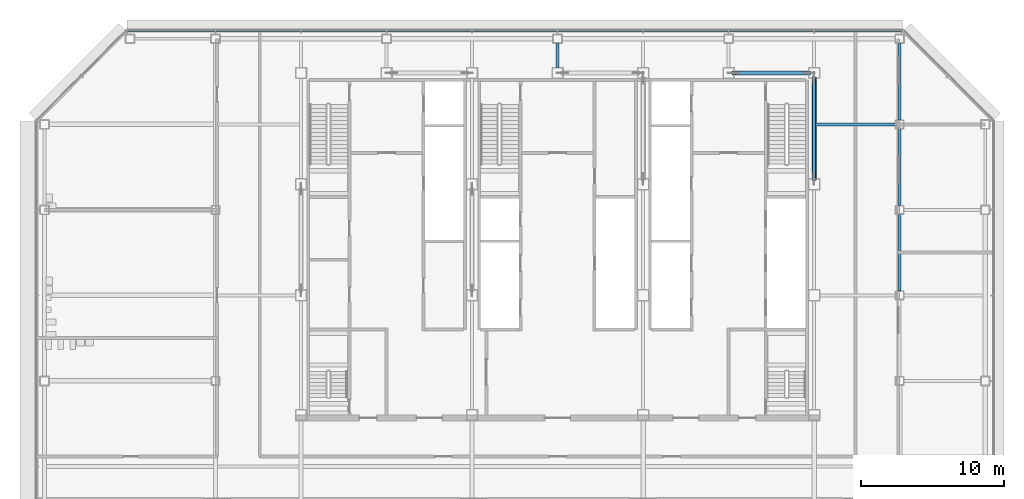
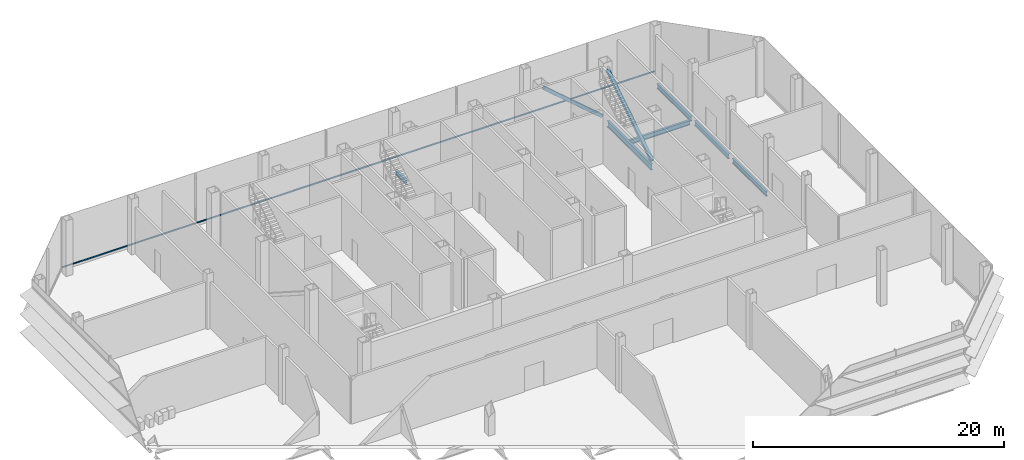
# One storey, part 12 of 25: 6 beams, 3 members, 1 element without a shape of its own.
"""IFC4 building model written with IfcOpenShell, lengths in metres."""

from ifc_helpers import new_model, si_unit, direction, frame, origin, origin_2d, place, context, subcontext, project, spatial, rectangle, hollow_rectangle, i_section, extrude, material, material_profile, profile_set, type_object, element, aggregate, save


model = new_model("IFC4")

# Units and contexts
model_context = context("Model", 3, precision=1e-05, world=origin(), true_north=direction((0.0, 1.0)))
body_context = subcontext(model_context, "Body", "Model", "MODEL_VIEW")
ifc_project = project(units=[si_unit("LENGTHUNIT", "METRE"), si_unit("AREAUNIT", "SQUARE_METRE"), si_unit("VOLUMEUNIT", "CUBIC_METRE"), si_unit("PLANEANGLEUNIT", "RADIAN"), si_unit("MASSUNIT", "GRAM", prefix="KILO")], contexts=[model_context])

# Site, building, storey
site_placement = place(None, origin())
site = spatial("IfcSite", under=ifc_project, at=site_placement, CompositionType="ELEMENT")
building_placement = place(site_placement, origin())
building = spatial("IfcBuilding", under=site, at=building_placement, Name="Sorahane Residences", CompositionType="ELEMENT")
storey_placement = place(building_placement, frame((0.0, 0.0, 210.0)))
storey = spatial("IfcBuildingStorey", under=building, at=storey_placement, Name="L49", CompositionType="ELEMENT", Elevation=210.0)

# Members
ifc_material_1 = material(Name="Steel Q355B", Category="steel")
ifc_material_profile_1 = material_profile(ifc_material_1, hollow_rectangle(XDim=0.300048828125, YDim=0.300048828125, WallThickness=0.01611328125, InnerFilletRadius=0.008056640625, OuterFilletRadius=0.02392578125, at=origin_2d()), Name="RHS 300x300x16")
ifc_profile_set_1 = profile_set([ifc_material_profile_1], Name="Steel Q355B")
member_type_1 = type_object("IfcMemberType", Name="Core brace RHS 300x300x16 Q355B", PredefinedType="BRACE", material=ifc_profile_set_1)
member_1_placement = place(storey_placement, frame((41.65869140625, 45.60009765625, 0.099609375), z_axis=(-0.758336649086, 0.0, 0.651863119568), x_axis=(0.0, -1.0, 0.0)))
element("IfcMember", 1, at=member_1_placement, inside=storey, type_object=member_type_1, Name="Core brace L49 y45.6-6", PredefinedType="BRACE", context=body_context, shape_type="SweptSolid", body=[
    extrude(hollow_rectangle(XDim=0.300048828125, YDim=0.300048828125, WallThickness=0.01611328125, InnerFilletRadius=0.008056640625, OuterFilletRadius=0.02392578125, at=origin_2d()), origin(), (0.0, 0.0, 1.0), 7.011962890625),
])
member_2_placement = place(storey_placement, frame((42.0, 38.151611328125, 0.119140625), z_axis=(0.0, 0.842825953617, 0.538186224192), x_axis=(-1.0, 0.0, 0.0)))
element("IfcMember", 2, at=member_2_placement, inside=storey, type_object=member_type_1, Name="Core brace L49 x42-3", PredefinedType="BRACE", context=body_context, shape_type="SweptSolid", body=[
    extrude(hollow_rectangle(XDim=0.300048828125, YDim=0.300048828125, WallThickness=0.01611328125, InnerFilletRadius=0.008056640625, OuterFilletRadius=0.02392578125, at=origin_2d()), origin(), (0.0, 0.0, 1.0), 8.42041015625),
])

# Curtain wall, member
ifc_material_2 = material(Name="Dark low-e glass and black anodised aluminium", Category="aluminium")
curtain_wall_type = type_object("IfcCurtainWallType", Name="Curtain wall CW-4 Sky floor frameless wall", PredefinedType="NOTDEFINED", material=ifc_material_2)
curtain_wall_placement = place(storey_placement, origin())
curtain_wall = element("IfcCurtainWall", 3, at=curtain_wall_placement, inside=storey, type_object=curtain_wall_type, Name="CW-4 curtain wall L49 N1", PredefinedType="NOTDEFINED")
ifc_material_3 = material(Name="Black anodised aluminium", Category="aluminium")
ifc_material_profile_2 = material_profile(ifc_material_3, rectangle(XDim=0.10009765625, YDim=0.06005859375, at=origin_2d()), Name="Curtain wall transom CW-4 black anodised aluminium 60x100")
ifc_profile_set_2 = profile_set([ifc_material_profile_2], Name="Black anodised aluminium")
member_type_2 = type_object("IfcMemberType", Name="Curtain wall transom CW-4 black anodised aluminium 60x100", PredefinedType="USERDEFINED", material=ifc_profile_set_2)
member_3_placement = place(storey_placement, frame((48.198486328125, 48.530029296875, 0.35009765625), z_axis=(-1.0, 0.0, 0.0), x_axis=(0.0, -1.0, 0.0)))
member_3 = element("IfcMember", 4, at=member_3_placement, type_object=member_type_2, Name="CW-4 transom L49 N1", ObjectType="TRANSOM", PredefinedType="USERDEFINED", context=body_context, shape_type="SweptSolid", body=[
    extrude(rectangle(XDim=0.10009765625, YDim=0.06005859375, at=origin_2d()), origin(), (0.0, 0.0, 1.0), 54.39697265625),
])
aggregate(curtain_wall, [member_3])

# Beams
ifc_material_4 = material(Name="Steel Q355B", Category="steel")
ifc_material_profile_3 = material_profile(ifc_material_4, i_section(OverallWidth=0.199951171875, OverallDepth=0.449951171875, WebThickness=0.009033203125, FlangeThickness=0.013916015625, FilletRadius=0.02001953125, at=origin_2d()), Name="HN 450x200x9x14")
ifc_profile_set_3 = profile_set([ifc_material_profile_3], Name="Steel Q355B")
beam_type_1 = type_object("IfcBeamType", Name="Steel floor beam HN 450x200x9x14 Q355B", PredefinedType="BEAM", material=ifc_profile_set_3)
beam_1_placement = place(storey_placement, frame((24.0, 46.0, -0.445068359375), z_axis=(0.0, 1.0, 0.0), x_axis=(-1.0, 0.0, 0.0)))
element("IfcBeam", 5, at=beam_1_placement, inside=storey, type_object=beam_type_1, Name="Beam L49 043", PredefinedType="BEAM", context=body_context, shape_type="SweptSolid", body=[
    extrude(i_section(OverallWidth=0.199951171875, OverallDepth=0.449951171875, WebThickness=0.009033203125, FlangeThickness=0.013916015625, FilletRadius=0.02001953125, at=origin_2d()), origin(), (0.0, 0.0, 1.0), 1.675048828125),
])
for number, where, z_axis, x_axis, name in (
    (6, (48.0, 30.300048828125, -0.445068359375), (0.0, 1.0, 0.0), (-1.0, 0.0, 0.0), "Beam L49 061"),
    (7, (48.0, 36.300048828125, -0.445068359375), (0.0, 1.0, 0.0), (-1.0, 0.0, 0.0), "Beam L49 062"),
):
    element("IfcBeam", number, at=place(storey_placement, frame(where, z_axis=z_axis, x_axis=x_axis)), inside=storey, type_object=beam_type_1, Name=name, PredefinedType="BEAM", context=body_context, shape_type="SweptSolid", body=[
        extrude(i_section(OverallWidth=0.199951171875, OverallDepth=0.449951171875, WebThickness=0.009033203125, FlangeThickness=0.013916015625, FilletRadius=0.02001953125, at=origin_2d()), origin(), (0.0, 0.0, 1.0), 5.39990234375),
    ])
beam_2_placement = place(storey_placement, frame((48.0, 42.300048828125, -0.445068359375), z_axis=(0.0, 1.0, 0.0), x_axis=(-1.0, 0.0, 0.0)))
element("IfcBeam", 8, at=beam_2_placement, inside=storey, type_object=beam_type_1, Name="Beam L49 063", PredefinedType="BEAM", context=body_context, shape_type="SweptSolid", body=[
    extrude(i_section(OverallWidth=0.199951171875, OverallDepth=0.449951171875, WebThickness=0.009033203125, FlangeThickness=0.013916015625, FilletRadius=0.02001953125, at=origin_2d()), origin(), (0.0, 0.0, 1.0), 5.375),
])
beam_3_placement = place(storey_placement, frame((42.10009765625, 42.0, -0.445068359375), z_axis=(1.0, 0.0, 0.0), x_axis=(0.0, 1.0, 0.0)))
element("IfcBeam", 9, at=beam_3_placement, inside=storey, type_object=beam_type_1, Name="Beam L49 091", PredefinedType="BEAM", context=body_context, shape_type="SweptSolid", body=[
    extrude(i_section(OverallWidth=0.199951171875, OverallDepth=0.449951171875, WebThickness=0.009033203125, FlangeThickness=0.013916015625, FilletRadius=0.02001953125, at=origin_2d()), origin(), (0.0, 0.0, 1.0), 5.599853515625),
])
ifc_material_5 = material(Name="Steel Q355B", Category="steel")
ifc_material_profile_4 = material_profile(ifc_material_5, i_section(OverallWidth=0.199951171875, OverallDepth=0.60009765625, WebThickness=0.010986328125, FlangeThickness=0.01708984375, FilletRadius=0.02392578125, at=origin_2d()), Name="HN 600x200x11x17")
ifc_profile_set_4 = profile_set([ifc_material_profile_4], Name="Steel Q355B")
beam_type_2 = type_object("IfcBeamType", Name="Steel floor beam HN 600x200x11x17 Q355B", PredefinedType="BEAM", material=ifc_profile_set_4)
beam_4_placement = place(storey_placement, frame((42.0, 38.199951171875, -0.52001953125), z_axis=(0.0, 1.0, 0.0), x_axis=(-1.0, 0.0, 0.0)))
element("IfcBeam", 10, at=beam_4_placement, inside=storey, type_object=beam_type_2, Name="Beam L49 056", PredefinedType="BEAM", context=body_context, shape_type="SweptSolid", body=[
    extrude(i_section(OverallWidth=0.199951171875, OverallDepth=0.60009765625, WebThickness=0.010986328125, FlangeThickness=0.01708984375, FilletRadius=0.02392578125, at=origin_2d()), origin(), (0.0, 0.0, 1.0), 7.0),
])

save(model, "model.ifc")
